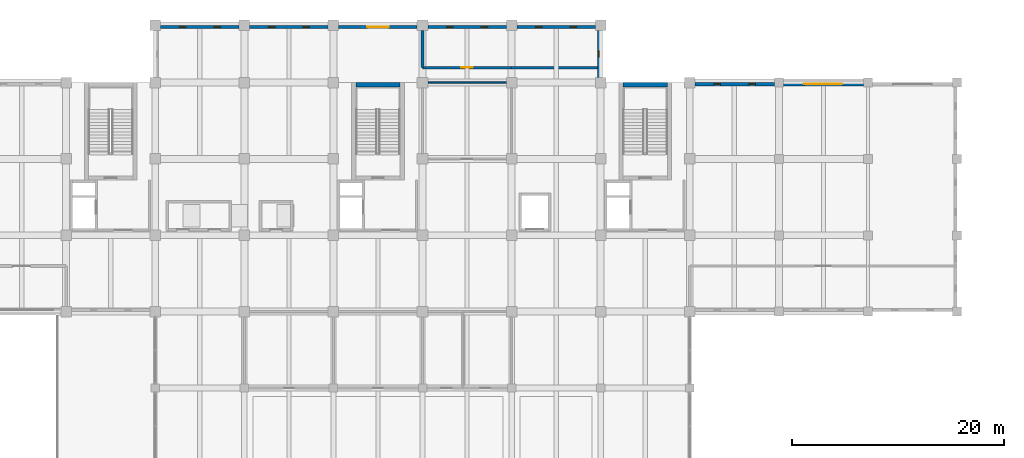
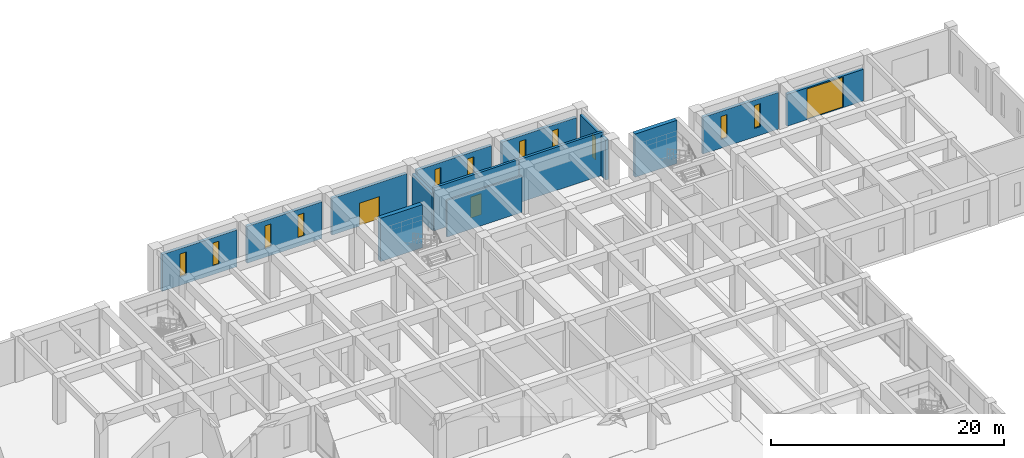
# One storey, part 32 of 49: 14 walls, 11 windows, 3 doors, 14 openings.
"""IFC4 building model written with IfcOpenShell, lengths in metres."""

from ifc_helpers import new_model, si_unit, direction, frame, frame_2d, origin, place, context, subcontext, project, spatial, rectangle, extrude, material, layer, layer_set, type_object, element, fill, save


model = new_model("IFC4")

# Units and contexts
model_context = context("Model", 3, precision=1e-05, world=origin(), true_north=direction((0.0, 1.0)))
body_context = subcontext(model_context, "Body", "Model", "MODEL_VIEW")
ifc_project = project(units=[si_unit("LENGTHUNIT", "METRE"), si_unit("AREAUNIT", "SQUARE_METRE"), si_unit("VOLUMEUNIT", "CUBIC_METRE"), si_unit("PLANEANGLEUNIT", "RADIAN"), si_unit("MASSUNIT", "GRAM", prefix="KILO")], contexts=[model_context])

# Site, building, storey
site_placement = place(None, origin())
site = spatial("IfcSite", under=ifc_project, at=site_placement, CompositionType="ELEMENT")
building_placement = place(site_placement, origin())
building = spatial("IfcBuilding", under=site, at=building_placement, Name="Kenerak Square Central Library", CompositionType="ELEMENT")
storey_placement = place(building_placement, origin())
storey = spatial("IfcBuildingStorey", under=building, at=storey_placement, Name="L00", CompositionType="ELEMENT", Elevation=0.0)

# Walls
ifc_material_1 = material(Name="Precast concrete C40/50", Category="concrete")
ifc_layer_1 = layer(ifc_material_1, 0.14990234375)
ifc_layer_set_1 = layer_set([ifc_layer_1], Name="Precast concrete C40/50")
wall_type_1 = type_object("IfcWallType", Name="Acoustic Blockwork Partition IW-150 C40/50", PredefinedType="PARTITIONING", material=ifc_layer_set_1)
wall_1_placement = place(storey_placement, frame((92.5, 110.39990234375, 0.0), z_axis=(0.0, 0.0, 1.0), x_axis=(1.0, 0.0, 0.0)))
element("IfcWall", 1, at=wall_1_placement, inside=storey, type_object=wall_type_1, Name="Interior Wall IW-L00-22-N2-B1", PredefinedType="PARTITIONING", context=body_context, shape_type="SweptSolid", body=[
    extrude(rectangle(XDim=7.39990234375, YDim=0.14990234375, at=frame_2d((3.699951171875, 0.0))), origin(), (0.0, 0.0, 1.0), 3.85009765625),
])
ifc_material_2 = material(Name="Concrete C40/50", Category="concrete")
ifc_layer_2 = layer(ifc_material_2, 0.25)
ifc_layer_set_2 = layer_set([ifc_layer_2], Name="Concrete C40/50")
wall_type_2 = type_object("IfcWallType", Name="Archive Compartment Wall IW-250 C40/50", PredefinedType="SOLIDWALL", material=ifc_layer_set_2)
wall_2_placement = place(storey_placement, frame((108.800048828125, 111.800048828125, 0.0), z_axis=(0.0, 0.0, 1.0), x_axis=(-1.0, 0.0, 0.0)))
element("IfcWall", 2, at=wall_2_placement, inside=storey, type_object=wall_type_2, Name="Interior Wall IW-L00-16-S1-B1", PredefinedType="SOLIDWALL", context=body_context, shape_type="SweptSolid", body=[
    extrude(rectangle(XDim=8.400146484375, YDim=0.25, at=frame_2d((4.2001953125, 0.0))), origin(), (0.0, 0.0, 1.0), 4.52490234375),
])

# Wall, opening, door
wall_3_placement = place(storey_placement, frame((100.39990234375, 111.800048828125, 0.0), z_axis=(0.0, 0.0, 1.0), x_axis=(-1.0, 0.0, 0.0)))
wall_3 = element("IfcWall", 3, at=wall_3_placement, inside=storey, type_object=wall_type_2, Name="Interior Wall IW-L00-16-S1-B2", PredefinedType="SOLIDWALL", context=body_context, shape_type="SweptSolid", body=[
    extrude(rectangle(XDim=8.39990234375, YDim=0.25, at=frame_2d((4.199951171875, 0.0))), origin(), (0.0, 0.0, 1.0), 4.52490234375),
])
opening_1_placement = place(wall_3_placement, frame((3.675048828125, 0.0, 0.0)))
opening_1 = element("IfcOpeningElement", 4, at=opening_1_placement, cuts=wall_3, Name="Opening ID-04", PredefinedType="OPENING", context=body_context, shape_type="SweptSolid", body=[
    extrude(rectangle(XDim=1.050048828125, YDim=2.199951171875, at=frame_2d((0.52490234375, 1.10009765625))), frame((0.0, 0.135009765625, 0.0), z_axis=(0.0, -1.0, 0.0), x_axis=(1.0, 0.0, 0.0)), (0.0, 0.0, 1.0), 0.27001953125),
])
ifc_material_3 = material(Name="Steel S355", Category="steel")
door_type_1 = type_object("IfcDoorType", Name="Conservation Lab Door ID-1050x2200 FD60S", OperationType="NOTDEFINED", PredefinedType="DOOR", material=ifc_material_3)
door_1_placement = place(opening_1_placement, origin())
door_1 = element("IfcDoor", 5, at=door_1_placement, inside=storey, type_object=door_type_1, Name="Fire Command Centre Door", OperationType="SINGLE_SWING_RIGHT", OverallHeight=2.199951171875, OverallWidth=1.050048828125, PredefinedType="DOOR", context=body_context, shape_type="SweptSolid", body=[
    extrude(rectangle(XDim=1.050048828125, YDim=2.199951171875, at=frame_2d((0.52490234375, 1.10009765625))), frame((0.0, 0.02490234375, 0.0), z_axis=(0.0, -1.0, 0.0), x_axis=(1.0, 0.0, 0.0)), (0.0, 0.0, 1.0), 0.050048828125),
])
fill(opening_1, door_1)

# Wall
wall_4_placement = place(storey_placement, frame((92.0, 111.800048828125, 0.0), z_axis=(0.0, 0.0, 1.0), x_axis=(0.0, 1.0, 0.0)))
element("IfcWall", 6, at=wall_4_placement, inside=storey, type_object=wall_type_2, Name="Interior Wall IW-L00-16-W3-B1", PredefinedType="SOLIDWALL", context=body_context, shape_type="SweptSolid", body=[
    extrude(rectangle(XDim=3.5, YDim=0.25, at=frame_2d((1.75, 0.0))), origin(), (0.0, 0.0, 1.0), 3.85009765625),
])

# Wall, openings, windows
ifc_layer_3 = layer(ifc_material_2, 0.300048828125)
ifc_layer_set_3 = layer_set([ifc_layer_3], Name="Concrete C40/50")
wall_type_3 = type_object("IfcWallType", Name="Board-Marked Brutalist Facade Wall EW-300 C40/50", PredefinedType="SOLIDWALL", material=ifc_layer_set_3)
wall_5_placement = place(storey_placement, frame((67.300048828125, 115.64990234375, 0.0), z_axis=(0.0, 0.0, 1.0), x_axis=(1.0, 0.0, 0.0)))
wall_5 = element("IfcWall", 7, at=wall_5_placement, inside=storey, type_object=wall_type_3, Name="Exterior Facade Wall L00 0043", PredefinedType="SOLIDWALL", context=body_context, shape_type="SweptSolid", body=[
    extrude(rectangle(XDim=7.39990234375, YDim=0.300048828125, at=frame_2d((3.699951171875, 0.0))), origin(), (0.0, 0.0, 1.0), 3.85009765625),
])
opening_2_placement = place(wall_5_placement, frame((1.77197265625, 0.0, 0.89990234375)))
opening_2 = element("IfcOpeningElement", 8, at=opening_2_placement, cuts=wall_5, Name="Opening W-01", PredefinedType="OPENING", context=body_context, shape_type="SweptSolid", body=[
    extrude(rectangle(XDim=0.60009765625, YDim=2.39990234375, at=frame_2d((0.300048828125, 1.199951171875))), frame((0.0, 0.159912109375, 0.0), z_axis=(0.0, -1.0, 0.0), x_axis=(1.0, 0.0, 0.0)), (0.0, 0.0, 1.0), 0.320068359375),
])
opening_3_placement = place(wall_5_placement, frame((5.028076171875, 0.0, 0.89990234375)))
opening_3 = element("IfcOpeningElement", 9, at=opening_3_placement, cuts=wall_5, Name="Opening W-01", PredefinedType="OPENING", context=body_context, shape_type="SweptSolid", body=[
    extrude(rectangle(XDim=0.60009765625, YDim=2.39990234375, at=frame_2d((0.300048828125, 1.199951171875))), frame((0.0, 0.159912109375, 0.0), z_axis=(0.0, -1.0, 0.0), x_axis=(1.0, 0.0, 0.0)), (0.0, 0.0, 1.0), 0.320068359375),
])
ifc_material_4 = material(Name="Solar-control low-E laminated double glazing", Category="glass")
window_type = type_object("IfcWindowType", Name="UV-Filtered Stack Slot Window W-01 600x2400", PartitioningType="SINGLE_PANEL", PredefinedType="WINDOW", material=ifc_material_4)
window_1_placement = place(opening_2_placement, origin())
window_1 = element("IfcWindow", 10, at=window_1_placement, inside=storey, type_object=window_type, Name="Window W-01 L00 0017", OverallHeight=2.39990234375, OverallWidth=0.60009765625, PartitioningType="SINGLE_PANEL", PredefinedType="WINDOW", context=body_context, shape_type="SweptSolid", body=[
    extrude(rectangle(XDim=0.60009765625, YDim=2.39990234375, at=frame_2d((0.300048828125, 1.199951171875))), frame((0.0, 0.030029296875, 0.0), z_axis=(0.0, -1.0, 0.0), x_axis=(1.0, 0.0, 0.0)), (0.0, 0.0, 1.0), 0.06005859375),
])
fill(opening_2, window_1)
window_2_placement = place(opening_3_placement, origin())
window_2 = element("IfcWindow", 11, at=window_2_placement, inside=storey, type_object=window_type, Name="Window W-01 L00 0018", OverallHeight=2.39990234375, OverallWidth=0.60009765625, PartitioningType="SINGLE_PANEL", PredefinedType="WINDOW", context=body_context, shape_type="SweptSolid", body=[
    extrude(rectangle(XDim=0.60009765625, YDim=2.39990234375, at=frame_2d((0.300048828125, 1.199951171875))), frame((0.0, 0.030029296875, 0.0), z_axis=(0.0, -1.0, 0.0), x_axis=(1.0, 0.0, 0.0)), (0.0, 0.0, 1.0), 0.06005859375),
])
fill(opening_3, window_2)

wall_6_placement = place(storey_placement, frame((75.699951171875, 115.64990234375, 0.0), z_axis=(0.0, 0.0, 1.0), x_axis=(1.0, 0.0, 0.0)))
wall_6 = element("IfcWall", 12, at=wall_6_placement, inside=storey, type_object=wall_type_3, Name="Exterior Facade Wall L00 0044", PredefinedType="SOLIDWALL", context=body_context, shape_type="SweptSolid", body=[
    extrude(rectangle(XDim=7.400146484375, YDim=0.300048828125, at=frame_2d((3.7001953125, 0.0))), origin(), (0.0, 0.0, 1.0), 3.85009765625),
])
opening_4_placement = place(wall_6_placement, frame((1.77197265625, 0.0, 0.89990234375)))
opening_4 = element("IfcOpeningElement", 13, at=opening_4_placement, cuts=wall_6, Name="Opening W-01", PredefinedType="OPENING", context=body_context, shape_type="SweptSolid", body=[
    extrude(rectangle(XDim=0.60009765625, YDim=2.39990234375, at=frame_2d((0.300048828125, 1.199951171875))), frame((0.0, 0.159912109375, 0.0), z_axis=(0.0, -1.0, 0.0), x_axis=(1.0, 0.0, 0.0)), (0.0, 0.0, 1.0), 0.320068359375),
])
opening_5_placement = place(wall_6_placement, frame((5.028076171875, 0.0, 0.89990234375)))
opening_5 = element("IfcOpeningElement", 14, at=opening_5_placement, cuts=wall_6, Name="Opening W-01", PredefinedType="OPENING", context=body_context, shape_type="SweptSolid", body=[
    extrude(rectangle(XDim=0.60009765625, YDim=2.39990234375, at=frame_2d((0.300048828125, 1.199951171875))), frame((0.0, 0.159912109375, 0.0), z_axis=(0.0, -1.0, 0.0), x_axis=(1.0, 0.0, 0.0)), (0.0, 0.0, 1.0), 0.320068359375),
])
window_3_placement = place(opening_4_placement, origin())
window_3 = element("IfcWindow", 15, at=window_3_placement, inside=storey, type_object=window_type, Name="Window W-01 L00 0019", OverallHeight=2.39990234375, OverallWidth=0.60009765625, PartitioningType="SINGLE_PANEL", PredefinedType="WINDOW", context=body_context, shape_type="SweptSolid", body=[
    extrude(rectangle(XDim=0.60009765625, YDim=2.39990234375, at=frame_2d((0.300048828125, 1.199951171875))), frame((0.0, 0.030029296875, 0.0), z_axis=(0.0, -1.0, 0.0), x_axis=(1.0, 0.0, 0.0)), (0.0, 0.0, 1.0), 0.06005859375),
])
fill(opening_4, window_3)
window_4_placement = place(opening_5_placement, origin())
window_4 = element("IfcWindow", 16, at=window_4_placement, inside=storey, type_object=window_type, Name="Window W-01 L00 0020", OverallHeight=2.39990234375, OverallWidth=0.60009765625, PartitioningType="SINGLE_PANEL", PredefinedType="WINDOW", context=body_context, shape_type="SweptSolid", body=[
    extrude(rectangle(XDim=0.60009765625, YDim=2.39990234375, at=frame_2d((0.300048828125, 1.199951171875))), frame((0.0, 0.030029296875, 0.0), z_axis=(0.0, -1.0, 0.0), x_axis=(1.0, 0.0, 0.0)), (0.0, 0.0, 1.0), 0.06005859375),
])
fill(opening_5, window_4)

# Wall, opening, door
wall_7_placement = place(storey_placement, frame((84.10009765625, 115.64990234375, 0.0), z_axis=(0.0, 0.0, 1.0), x_axis=(1.0, 0.0, 0.0)))
wall_7 = element("IfcWall", 17, at=wall_7_placement, inside=storey, type_object=wall_type_3, Name="Exterior Facade Wall L00 0045", PredefinedType="SOLIDWALL", context=body_context, shape_type="SweptSolid", body=[
    extrude(rectangle(XDim=7.39990234375, YDim=0.300048828125, at=frame_2d((3.699951171875, 0.0))), origin(), (0.0, 0.0, 1.0), 3.85009765625),
])
opening_6_placement = place(wall_7_placement, frame((2.699951171875, 0.0, 0.0)))
opening_6 = element("IfcOpeningElement", 18, at=opening_6_placement, cuts=wall_7, Name="Opening ED-04", PredefinedType="OPENING", context=body_context, shape_type="SweptSolid", body=[
    extrude(rectangle(XDim=2.0, YDim=2.39990234375, at=frame_2d((1.0, 1.199951171875))), frame((0.0, 0.159912109375, 0.0), z_axis=(0.0, -1.0, 0.0), x_axis=(1.0, 0.0, 0.0)), (0.0, 0.0, 1.0), 0.320068359375),
])
ifc_material_5 = material(Name="Anodised aluminium and laminated glass", Category="aluminium")
door_type_2 = type_object("IfcDoorType", Name="Cafe and Bookshop Entrance Door ED-2000x2400", OperationType="NOTDEFINED", PredefinedType="DOOR", material=ifc_material_5)
door_2_placement = place(opening_6_placement, origin())
door_2 = element("IfcDoor", 19, at=door_2_placement, inside=storey, type_object=door_type_2, Name="Exterior Entrance Door L00 003", OperationType="DOUBLE_DOOR_SINGLE_SWING", OverallHeight=2.39990234375, OverallWidth=2.0, PredefinedType="DOOR", context=body_context, shape_type="SweptSolid", body=[
    extrude(rectangle(XDim=2.0, YDim=2.39990234375, at=frame_2d((1.0, 1.199951171875))), frame((0.0, 0.02490234375, 0.0), z_axis=(0.0, -1.0, 0.0), x_axis=(1.0, 0.0, 0.0)), (0.0, 0.0, 1.0), 0.050048828125),
])
fill(opening_6, door_2)

# Wall, openings, windows
wall_8_placement = place(storey_placement, frame((92.5, 115.64990234375, 0.0), z_axis=(0.0, 0.0, 1.0), x_axis=(1.0, 0.0, 0.0)))
wall_8 = element("IfcWall", 20, at=wall_8_placement, inside=storey, type_object=wall_type_3, Name="Exterior Facade Wall L00 0046", PredefinedType="SOLIDWALL", context=body_context, shape_type="SweptSolid", body=[
    extrude(rectangle(XDim=7.39990234375, YDim=0.300048828125, at=frame_2d((3.699951171875, 0.0))), origin(), (0.0, 0.0, 1.0), 3.85009765625),
])
opening_7_placement = place(wall_8_placement, frame((1.77197265625, 0.0, 0.89990234375)))
opening_7 = element("IfcOpeningElement", 21, at=opening_7_placement, cuts=wall_8, Name="Opening W-01", PredefinedType="OPENING", context=body_context, shape_type="SweptSolid", body=[
    extrude(rectangle(XDim=0.60009765625, YDim=2.39990234375, at=frame_2d((0.300048828125, 1.199951171875))), frame((0.0, 0.159912109375, 0.0), z_axis=(0.0, -1.0, 0.0), x_axis=(1.0, 0.0, 0.0)), (0.0, 0.0, 1.0), 0.320068359375),
])
opening_8_placement = place(wall_8_placement, frame((5.028076171875, 0.0, 0.89990234375)))
opening_8 = element("IfcOpeningElement", 22, at=opening_8_placement, cuts=wall_8, Name="Opening W-01", PredefinedType="OPENING", context=body_context, shape_type="SweptSolid", body=[
    extrude(rectangle(XDim=0.60009765625, YDim=2.39990234375, at=frame_2d((0.300048828125, 1.199951171875))), frame((0.0, 0.159912109375, 0.0), z_axis=(0.0, -1.0, 0.0), x_axis=(1.0, 0.0, 0.0)), (0.0, 0.0, 1.0), 0.320068359375),
])
window_5_placement = place(opening_7_placement, origin())
window_5 = element("IfcWindow", 23, at=window_5_placement, inside=storey, type_object=window_type, Name="Window W-01 L00 0021", OverallHeight=2.39990234375, OverallWidth=0.60009765625, PartitioningType="SINGLE_PANEL", PredefinedType="WINDOW", context=body_context, shape_type="SweptSolid", body=[
    extrude(rectangle(XDim=0.60009765625, YDim=2.39990234375, at=frame_2d((0.300048828125, 1.199951171875))), frame((0.0, 0.030029296875, 0.0), z_axis=(0.0, -1.0, 0.0), x_axis=(1.0, 0.0, 0.0)), (0.0, 0.0, 1.0), 0.06005859375),
])
fill(opening_7, window_5)
window_6_placement = place(opening_8_placement, origin())
window_6 = element("IfcWindow", 24, at=window_6_placement, inside=storey, type_object=window_type, Name="Window W-01 L00 0022", OverallHeight=2.39990234375, OverallWidth=0.60009765625, PartitioningType="SINGLE_PANEL", PredefinedType="WINDOW", context=body_context, shape_type="SweptSolid", body=[
    extrude(rectangle(XDim=0.60009765625, YDim=2.39990234375, at=frame_2d((0.300048828125, 1.199951171875))), frame((0.0, 0.030029296875, 0.0), z_axis=(0.0, -1.0, 0.0), x_axis=(1.0, 0.0, 0.0)), (0.0, 0.0, 1.0), 0.06005859375),
])
fill(opening_8, window_6)

wall_9_placement = place(storey_placement, frame((100.89990234375, 115.64990234375, 0.0), z_axis=(0.0, 0.0, 1.0), x_axis=(1.0, 0.0, 0.0)))
wall_9 = element("IfcWall", 25, at=wall_9_placement, inside=storey, type_object=wall_type_3, Name="Exterior Facade Wall L00 0047", PredefinedType="SOLIDWALL", context=body_context, shape_type="SweptSolid", body=[
    extrude(rectangle(XDim=7.400146484375, YDim=0.300048828125, at=frame_2d((3.7001953125, 0.0))), origin(), (0.0, 0.0, 1.0), 3.85009765625),
])
opening_9_placement = place(wall_9_placement, frame((1.77197265625, 0.0, 0.89990234375)))
opening_9 = element("IfcOpeningElement", 26, at=opening_9_placement, cuts=wall_9, Name="Opening W-01", PredefinedType="OPENING", context=body_context, shape_type="SweptSolid", body=[
    extrude(rectangle(XDim=0.60009765625, YDim=2.39990234375, at=frame_2d((0.300048828125, 1.199951171875))), frame((0.0, 0.159912109375, 0.0), z_axis=(0.0, -1.0, 0.0), x_axis=(1.0, 0.0, 0.0)), (0.0, 0.0, 1.0), 0.320068359375),
])
opening_10_placement = place(wall_9_placement, frame((5.028076171875, 0.0, 0.89990234375)))
opening_10 = element("IfcOpeningElement", 27, at=opening_10_placement, cuts=wall_9, Name="Opening W-01", PredefinedType="OPENING", context=body_context, shape_type="SweptSolid", body=[
    extrude(rectangle(XDim=0.60009765625, YDim=2.39990234375, at=frame_2d((0.300048828125, 1.199951171875))), frame((0.0, 0.159912109375, 0.0), z_axis=(0.0, -1.0, 0.0), x_axis=(1.0, 0.0, 0.0)), (0.0, 0.0, 1.0), 0.320068359375),
])
window_7_placement = place(opening_9_placement, origin())
window_7 = element("IfcWindow", 28, at=window_7_placement, inside=storey, type_object=window_type, Name="Window W-01 L00 0023", OverallHeight=2.39990234375, OverallWidth=0.60009765625, PartitioningType="SINGLE_PANEL", PredefinedType="WINDOW", context=body_context, shape_type="SweptSolid", body=[
    extrude(rectangle(XDim=0.60009765625, YDim=2.39990234375, at=frame_2d((0.300048828125, 1.199951171875))), frame((0.0, 0.030029296875, 0.0), z_axis=(0.0, -1.0, 0.0), x_axis=(1.0, 0.0, 0.0)), (0.0, 0.0, 1.0), 0.06005859375),
])
fill(opening_9, window_7)
window_8_placement = place(opening_10_placement, origin())
window_8 = element("IfcWindow", 29, at=window_8_placement, inside=storey, type_object=window_type, Name="Window W-01 L00 0024", OverallHeight=2.39990234375, OverallWidth=0.60009765625, PartitioningType="SINGLE_PANEL", PredefinedType="WINDOW", context=body_context, shape_type="SweptSolid", body=[
    extrude(rectangle(XDim=0.60009765625, YDim=2.39990234375, at=frame_2d((0.300048828125, 1.199951171875))), frame((0.0, 0.030029296875, 0.0), z_axis=(0.0, -1.0, 0.0), x_axis=(1.0, 0.0, 0.0)), (0.0, 0.0, 1.0), 0.06005859375),
])
fill(opening_10, window_8)

# Wall, opening, window
wall_10_placement = place(storey_placement, frame((108.64990234375, 115.300048828125, 0.0), z_axis=(0.0, 0.0, 1.0), x_axis=(0.0, -1.0, 0.0)))
wall_10 = element("IfcWall", 30, at=wall_10_placement, inside=storey, type_object=wall_type_3, Name="Exterior Facade Wall L00 0048", PredefinedType="SOLIDWALL", context=body_context, shape_type="SweptSolid", body=[
    extrude(rectangle(XDim=4.400146484375, YDim=0.300048828125, at=frame_2d((2.2001953125, 0.0))), origin(), (0.0, 0.0, 1.0), 4.199951171875),
])
opening_11_placement = place(wall_10_placement, frame((1.89990234375, 0.0, 0.89990234375)))
opening_11 = element("IfcOpeningElement", 31, at=opening_11_placement, cuts=wall_10, Name="Opening W-01", PredefinedType="OPENING", context=body_context, shape_type="SweptSolid", body=[
    extrude(rectangle(XDim=0.60009765625, YDim=2.39990234375, at=frame_2d((0.300048828125, 1.199951171875))), frame((0.0, 0.159912109375, 0.0), z_axis=(0.0, -1.0, 0.0), x_axis=(1.0, 0.0, 0.0)), (0.0, 0.0, 1.0), 0.320068359375),
])
window_9_placement = place(opening_11_placement, origin())
window_9 = element("IfcWindow", 32, at=window_9_placement, inside=storey, type_object=window_type, Name="Window W-01 L00 0025", OverallHeight=2.39990234375, OverallWidth=0.60009765625, PartitioningType="SINGLE_PANEL", PredefinedType="WINDOW", context=body_context, shape_type="SweptSolid", body=[
    extrude(rectangle(XDim=0.60009765625, YDim=2.39990234375, at=frame_2d((0.300048828125, 1.199951171875))), frame((0.0, 0.030029296875, 0.0), z_axis=(0.0, -1.0, 0.0), x_axis=(1.0, 0.0, 0.0)), (0.0, 0.0, 1.0), 0.06005859375),
])
fill(opening_11, window_9)

# Wall, openings, windows
wall_11_placement = place(storey_placement, frame((117.699951171875, 110.25, 0.0), z_axis=(0.0, 0.0, 1.0), x_axis=(1.0, 0.0, 0.0)))
wall_11 = element("IfcWall", 33, at=wall_11_placement, inside=storey, type_object=wall_type_3, Name="Exterior Facade Wall L00 0049", PredefinedType="SOLIDWALL", context=body_context, shape_type="SweptSolid", body=[
    extrude(rectangle(XDim=7.47509765625, YDim=0.300048828125, at=frame_2d((3.737548828125, 0.0))), origin(), (0.0, 0.0, 1.0), 3.85009765625),
])
opening_12_placement = place(wall_11_placement, frame((1.79296875, 0.0, 0.89990234375)))
opening_12 = element("IfcOpeningElement", 34, at=opening_12_placement, cuts=wall_11, Name="Opening W-01", PredefinedType="OPENING", context=body_context, shape_type="SweptSolid", body=[
    extrude(rectangle(XDim=0.60009765625, YDim=2.39990234375, at=frame_2d((0.300048828125, 1.199951171875))), frame((0.0, 0.159912109375, 0.0), z_axis=(0.0, -1.0, 0.0), x_axis=(1.0, 0.0, 0.0)), (0.0, 0.0, 1.0), 0.320068359375),
])
opening_13_placement = place(wall_11_placement, frame((5.08203125, 0.0, 0.89990234375)))
opening_13 = element("IfcOpeningElement", 35, at=opening_13_placement, cuts=wall_11, Name="Opening W-01", PredefinedType="OPENING", context=body_context, shape_type="SweptSolid", body=[
    extrude(rectangle(XDim=0.60009765625, YDim=2.39990234375, at=frame_2d((0.300048828125, 1.199951171875))), frame((0.0, 0.159912109375, 0.0), z_axis=(0.0, -1.0, 0.0), x_axis=(1.0, 0.0, 0.0)), (0.0, 0.0, 1.0), 0.320068359375),
])
window_10_placement = place(opening_12_placement, origin())
window_10 = element("IfcWindow", 36, at=window_10_placement, inside=storey, type_object=window_type, Name="Window W-01 L00 0026", OverallHeight=2.39990234375, OverallWidth=0.60009765625, PartitioningType="SINGLE_PANEL", PredefinedType="WINDOW", context=body_context, shape_type="SweptSolid", body=[
    extrude(rectangle(XDim=0.60009765625, YDim=2.39990234375, at=frame_2d((0.300048828125, 1.199951171875))), frame((0.0, 0.030029296875, 0.0), z_axis=(0.0, -1.0, 0.0), x_axis=(1.0, 0.0, 0.0)), (0.0, 0.0, 1.0), 0.06005859375),
])
fill(opening_12, window_10)
window_11_placement = place(opening_13_placement, origin())
window_11 = element("IfcWindow", 37, at=window_11_placement, inside=storey, type_object=window_type, Name="Window W-01 L00 0027", OverallHeight=2.39990234375, OverallWidth=0.60009765625, PartitioningType="SINGLE_PANEL", PredefinedType="WINDOW", context=body_context, shape_type="SweptSolid", body=[
    extrude(rectangle(XDim=0.60009765625, YDim=2.39990234375, at=frame_2d((0.300048828125, 1.199951171875))), frame((0.0, 0.030029296875, 0.0), z_axis=(0.0, -1.0, 0.0), x_axis=(1.0, 0.0, 0.0)), (0.0, 0.0, 1.0), 0.06005859375),
])
fill(opening_13, window_11)

# Wall, opening, door
wall_12_placement = place(storey_placement, frame((126.02490234375, 110.25, 0.0), z_axis=(0.0, 0.0, 1.0), x_axis=(1.0, 0.0, 0.0)))
wall_12 = element("IfcWall", 38, at=wall_12_placement, inside=storey, type_object=wall_type_3, Name="Exterior Facade Wall L00 0050", PredefinedType="SOLIDWALL", context=body_context, shape_type="SweptSolid", body=[
    extrude(rectangle(XDim=7.550048828125, YDim=0.300048828125, at=frame_2d((3.77490234375, 0.0))), origin(), (0.0, 0.0, 1.0), 3.324951171875),
])
opening_14_placement = place(wall_12_placement, frame((1.97509765625, 0.0, 0.0)))
opening_14 = element("IfcOpeningElement", 39, at=opening_14_placement, cuts=wall_12, Name="Opening LG-01", PredefinedType="OPENING", context=body_context, shape_type="SweptSolid", body=[
    extrude(rectangle(XDim=3.60009765625, YDim=3.199951171875, at=frame_2d((1.800048828125, 1.60009765625))), frame((0.0, 0.159912109375, 0.0), z_axis=(0.0, -1.0, 0.0), x_axis=(1.0, 0.0, 0.0)), (0.0, 0.0, 1.0), 0.320068359375),
])
door_type_3 = type_object("IfcDoorType", Name="Loading Bay Roller Shutter Gate LG-3600x3200", OperationType="NOTDEFINED", PredefinedType="GATE", material=ifc_material_3)
door_3_placement = place(opening_14_placement, origin())
door_3 = element("IfcDoor", 40, at=door_3_placement, inside=storey, type_object=door_type_3, Name="Loading Bay Roller Shutter Gate LG-01 004", OperationType="ROLLINGUP", OverallHeight=3.199951171875, OverallWidth=3.60009765625, PredefinedType="GATE", context=body_context, shape_type="SweptSolid", body=[
    extrude(rectangle(XDim=3.60009765625, YDim=3.199951171875, at=frame_2d((1.800048828125, 1.60009765625))), frame((0.0, 0.02490234375, 0.0), z_axis=(0.0, -1.0, 0.0), x_axis=(1.0, 0.0, 0.0)), (0.0, 0.0, 1.0), 0.050048828125),
])
fill(opening_14, door_3)

# Walls
ifc_layer_4 = layer(ifc_material_2, 0.39990234375)
ifc_layer_set_4 = layer_set([ifc_layer_4], Name="Concrete C40/50")
wall_type_4 = type_object("IfcWallType", Name="Core Shear Wall CW-400 C40/50", PredefinedType="SHEAR", material=ifc_layer_set_4)
wall_13_placement = place(storey_placement, frame((85.719970703125, 110.199951171875, 0.0), z_axis=(0.0, 0.0, 1.0), x_axis=(1.0, 0.0, 0.0)))
element("IfcWall", 41, at=wall_13_placement, inside=storey, type_object=wall_type_4, Name="Core Wall CW-C2 L00 North", PredefinedType="SHEAR", context=body_context, shape_type="SweptSolid", body=[
    extrude(rectangle(XDim=4.159912109375, YDim=0.39990234375, at=frame_2d((2.080078125, 0.0))), origin(), (0.0, 0.0, 1.0), 4.52490234375),
])
wall_14_placement = place(storey_placement, frame((110.919921875, 110.199951171875, 0.0), z_axis=(0.0, 0.0, 1.0), x_axis=(1.0, 0.0, 0.0)))
element("IfcWall", 42, at=wall_14_placement, inside=storey, type_object=wall_type_4, Name="Core Wall CW-C3 L00 North", PredefinedType="SHEAR", context=body_context, shape_type="SweptSolid", body=[
    extrude(rectangle(XDim=4.16015625, YDim=0.39990234375, at=frame_2d((2.080078125, 0.0))), origin(), (0.0, 0.0, 1.0), 4.52490234375),
])

save(model, "model.ifc")
